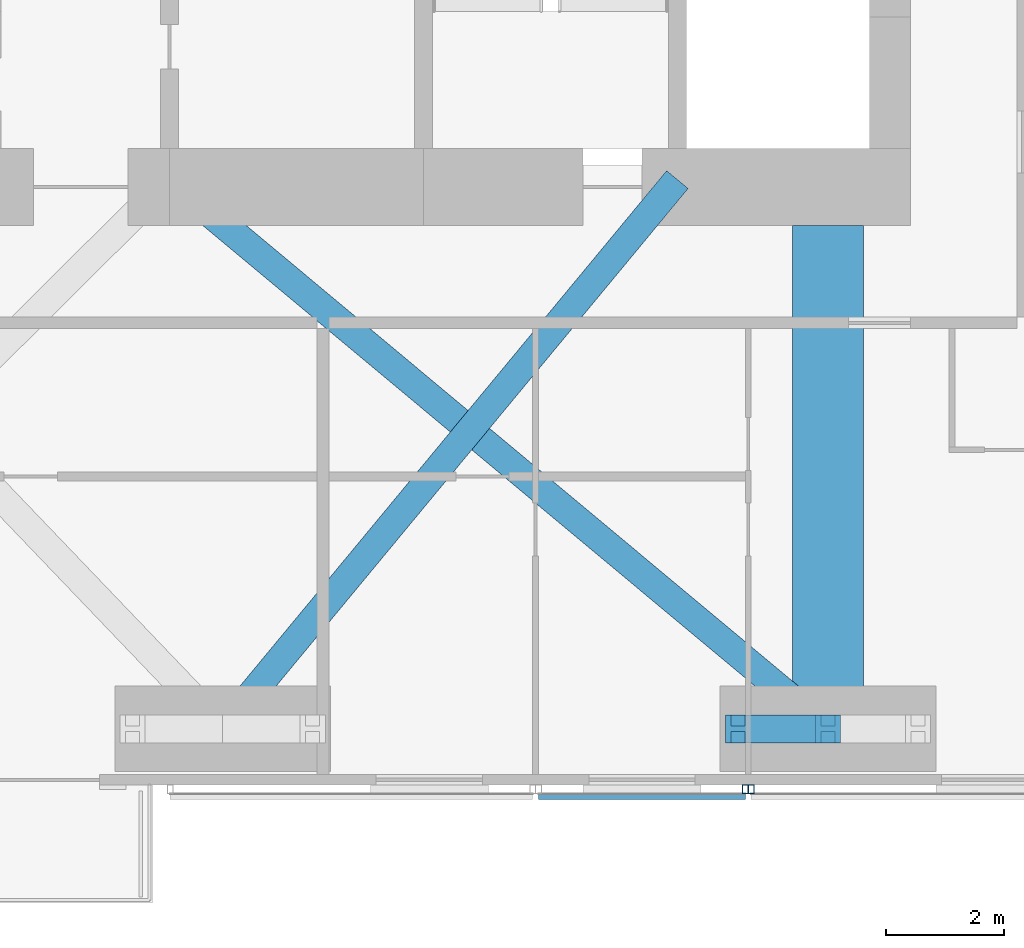
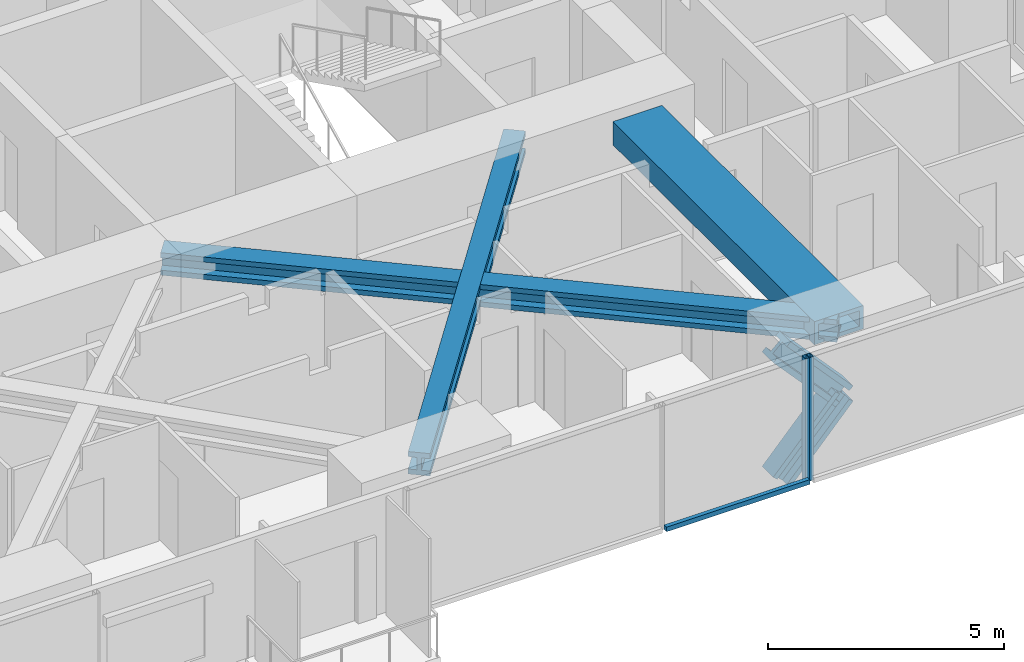
# One storey, part 6 of 22: 7 members, 1 beam, 2 elements without a shape of their own.
"""IFC4 building model written with IfcOpenShell, lengths in metres."""

from ifc_helpers import new_model, si_unit, direction, frame, origin, origin_2d, place, context, subcontext, project, spatial, rectangle, hollow_rectangle, i_section, extrude, material, material_profile, profile_set, type_object, element, aggregate, save


model = new_model("IFC4")

# Units and contexts
model_context = context("Model", 3, precision=1e-05, world=origin(), true_north=direction((0.0, 1.0)))
body_context = subcontext(model_context, "Body", "Model", "MODEL_VIEW")
ifc_project = project(units=[si_unit("LENGTHUNIT", "METRE"), si_unit("AREAUNIT", "SQUARE_METRE"), si_unit("VOLUMEUNIT", "CUBIC_METRE"), si_unit("PLANEANGLEUNIT", "RADIAN"), si_unit("MASSUNIT", "GRAM", prefix="KILO")], contexts=[model_context])

# Site, building, storey
site_placement = place(None, origin())
site = spatial("IfcSite", under=ifc_project, at=site_placement, CompositionType="ELEMENT")
building_placement = place(site_placement, origin())
building = spatial("IfcBuilding", under=site, at=building_placement, Name="Jalousie Tower", CompositionType="ELEMENT")
storey_placement = place(building_placement, frame((0.0, 0.0, 204.60009765625)))
storey = spatial("IfcBuildingStorey", under=building, at=storey_placement, Name="L56", CompositionType="ELEMENT", Elevation=204.60009765625)

# Members
ifc_material_1 = material(Name="Steel ASTM A992 Grade 50", Category="steel")
ifc_material_profile_1 = material_profile(ifc_material_1, i_section(OverallWidth=0.472412109375, OverallDepth=0.5791015625, WebThickness=0.094970703125, FlangeThickness=0.1298828125, at=origin_2d()), Name="W14X808")
ifc_profile_set_1 = profile_set([ifc_material_profile_1], Name="Steel ASTM A992 Grade 50")
member_type_1 = type_object("IfcMemberType", Name="KINK FLOOR TRUSS DIAGONAL W14X808", PredefinedType="BRACE", material=ifc_profile_set_1)
member_1_placement = place(storey_placement, frame((32.5, 0.949951171875, 2.7802734375), z_axis=(0.637732816429, 0.770257654847, 0.0), x_axis=(-0.770257654847, 0.637732816429, 0.0)))
element("IfcMember", 1, at=member_1_placement, inside=storey, type_object=member_type_1, Name="Kink floor truss L57 03 diagonal", PredefinedType="BRACE", context=body_context, shape_type="SweptSolid", body=[
    extrude(i_section(OverallWidth=0.472412109375, OverallDepth=0.5791015625, WebThickness=0.094970703125, FlangeThickness=0.1298828125, at=origin_2d()), origin(), (0.0, 0.0, 1.0), 12.073974609375),
])
member_2_placement = place(storey_placement, frame((42.75, 0.949951171875, 2.7802734375), z_axis=(-0.76793452304, 0.640528350913, 0.0), x_axis=(-0.640528350913, -0.76793452304, 0.0)))
element("IfcMember", 2, at=member_2_placement, inside=storey, type_object=member_type_1, Name="Kink floor truss L57 04 diagonal", PredefinedType="BRACE", context=body_context, shape_type="SweptSolid", body=[
    extrude(i_section(OverallWidth=0.472412109375, OverallDepth=0.5791015625, WebThickness=0.094970703125, FlangeThickness=0.1298828125, at=origin_2d()), origin(), (0.0, 0.0, 1.0), 14.519287109375),
])

# Beam
ifc_material_2 = material(Name="Steel ASTM A572 Grade 50 plate", Category="steel")
ifc_material_profile_2 = material_profile(ifc_material_2, hollow_rectangle(XDim=1.199951171875, YDim=0.60009765625, WallThickness=0.10009765625, at=origin_2d()), Name="BOX 600x1200x100")
ifc_profile_set_2 = profile_set([ifc_material_profile_2], Name="Steel ASTM A572 Grade 50 plate")
beam_type = type_object("IfcBeamType", Name="KINK TIE BOX 600x1200x100", PredefinedType="BEAM", material=ifc_profile_set_2)
beam_placement = place(storey_placement, frame((42.75, 0.949951171875, 2.77001953125), z_axis=(0.0, 1.0, 0.0), x_axis=(-1.0, 0.0, 0.0)))
element("IfcBeam", 3, at=beam_placement, inside=storey, type_object=beam_type, Name="Kink tie under L57", PredefinedType="BEAM", context=body_context, shape_type="SweptSolid", body=[
    extrude(hollow_rectangle(XDim=1.199951171875, YDim=0.60009765625, WallThickness=0.10009765625, at=origin_2d()), origin(), (0.0, 0.0, 1.0), 8.525146484375),
])

# Members
ifc_material_3 = material(Name="Steel ASTM A992 Grade 50", Category="steel")
ifc_material_profile_3 = material_profile(ifc_material_3, i_section(OverallWidth=0.472412109375, OverallDepth=0.5791015625, WebThickness=0.094970703125, FlangeThickness=0.1298828125, at=origin_2d()), Name="W14X808")
ifc_profile_set_3 = profile_set([ifc_material_profile_3], Name="Steel ASTM A992 Grade 50")
member_type_2 = type_object("IfcMemberType", Name="PERIMETER BRACE W14X808", PredefinedType="BRACE", material=ifc_profile_set_3)
for number, where, z_axis, x_axis, name in (
    (4, (41.22509765625, 0.949951171875, -0.60009765625), (0.673187629365, 0.0, 0.739471713908), (0.0, 1.0, 0.0), "Perimeter brace 04 L56 part 1"),
    (5, (42.75, 0.949951171875, 1.074951171875), (-0.673187629365, 0.0, 0.739471713908), (0.0, -1.0, 0.0), "Perimeter brace 04 L56 part 4"),
):
    element("IfcMember", number, at=place(storey_placement, frame(where, z_axis=z_axis, x_axis=x_axis)), inside=storey, type_object=member_type_2, Name=name, PredefinedType="BRACE", context=body_context, shape_type="SweptSolid", body=[
        extrude(i_section(OverallWidth=0.472412109375, OverallDepth=0.5791015625, WebThickness=0.094970703125, FlangeThickness=0.1298828125, at=origin_2d()), origin(), (0.0, 0.0, 1.0), 2.26513671875),
    ])

# Curtain wall, member
ifc_material_4 = material(Name="Perforated aluminium sheet", Category="aluminium")
curtain_wall_type = type_object("IfcCurtainWallType", Name="SOLAR SCREEN SS-1", PredefinedType="USERDEFINED", material=ifc_material_4)
curtain_wall_1_placement = place(storey_placement, origin())
curtain_wall_1 = element("IfcCurtainWall", 6, at=curtain_wall_1_placement, inside=storey, type_object=curtain_wall_type, Name="Solar screen L56", ObjectType="SOLAR SCREEN SS-1", PredefinedType="USERDEFINED")
ifc_material_5 = material(Name="Steel ASTM A500 Grade C", Category="steel")
ifc_material_profile_4 = material_profile(ifc_material_5, hollow_rectangle(XDim=0.1015625, YDim=0.15234375, WallThickness=0.00634765625, at=origin_2d()), Name="HSS6X4X1/4")
ifc_profile_set_4 = profile_set([ifc_material_profile_4], Name="Steel ASTM A500 Grade C")
member_type_3 = type_object("IfcMemberType", Name="SOLAR SCREEN SS-1 MULLION", PredefinedType="MULLION", material=ifc_profile_set_4)
member_3_placement = place(storey_placement, frame((41.35009765625, -0.0712890625, -0.1201171875), z_axis=(0.0, 0.0, 1.0), x_axis=(1.0, 0.0, 0.0)))
member_3 = element("IfcMember", 7, at=member_3_placement, type_object=member_type_3, Name="SS1 post 2", PredefinedType="MULLION", context=body_context, shape_type="SweptSolid", body=[
    extrude(hollow_rectangle(XDim=0.1015625, YDim=0.15234375, WallThickness=0.00634765625, at=origin_2d()), origin(), (0.0, 0.0, 1.0), 3.18994140625),
])

curtain_wall_2_placement = place(storey_placement, origin())
curtain_wall_2 = element("IfcCurtainWall", 8, at=curtain_wall_2_placement, inside=storey, type_object=curtain_wall_type, Name="Solar screen L56", ObjectType="SOLAR SCREEN SS-1", PredefinedType="USERDEFINED")
member_4_placement = place(storey_placement, frame((41.449951171875, -0.0712890625, -0.1201171875), z_axis=(0.0, 0.0, 1.0), x_axis=(1.0, 0.0, 0.0)))
member_4 = element("IfcMember", 9, at=member_4_placement, type_object=member_type_3, Name="SS1 post 1", PredefinedType="MULLION", context=body_context, shape_type="SweptSolid", body=[
    extrude(hollow_rectangle(XDim=0.1015625, YDim=0.15234375, WallThickness=0.00634765625, at=origin_2d()), origin(), (0.0, 0.0, 1.0), 3.18994140625),
])
aggregate(curtain_wall_2, [member_4])

# Member
ifc_material_6 = material(Name="Extruded aluminium screen rail", Category="aluminium")
ifc_material_profile_5 = material_profile(ifc_material_6, rectangle(XDim=0.1015625, YDim=0.1201171875, at=origin_2d()), Name="RAIL 102x120")
ifc_profile_set_5 = profile_set([ifc_material_profile_5], Name="Extruded aluminium screen rail")
member_type_4 = type_object("IfcMemberType", Name="SOLAR SCREEN SS-1 TRANSOM", PredefinedType="USERDEFINED", material=ifc_profile_set_5)
member_5_placement = place(storey_placement, frame((37.85009765625, -0.1982421875, -0.06005859375), z_axis=(1.0, 0.0, 0.0), x_axis=(0.0, 1.0, 0.0)))
member_5 = element("IfcMember", 10, at=member_5_placement, type_object=member_type_4, Name="SS1 rail", ObjectType="TRANSOM", PredefinedType="USERDEFINED", context=body_context, shape_type="SweptSolid", body=[
    extrude(rectangle(XDim=0.1015625, YDim=0.1201171875, at=origin_2d()), origin(), (0.0, 0.0, 1.0), 3.5),
])

aggregate(curtain_wall_1, [member_3, member_5])

save(model, "model.ifc")
